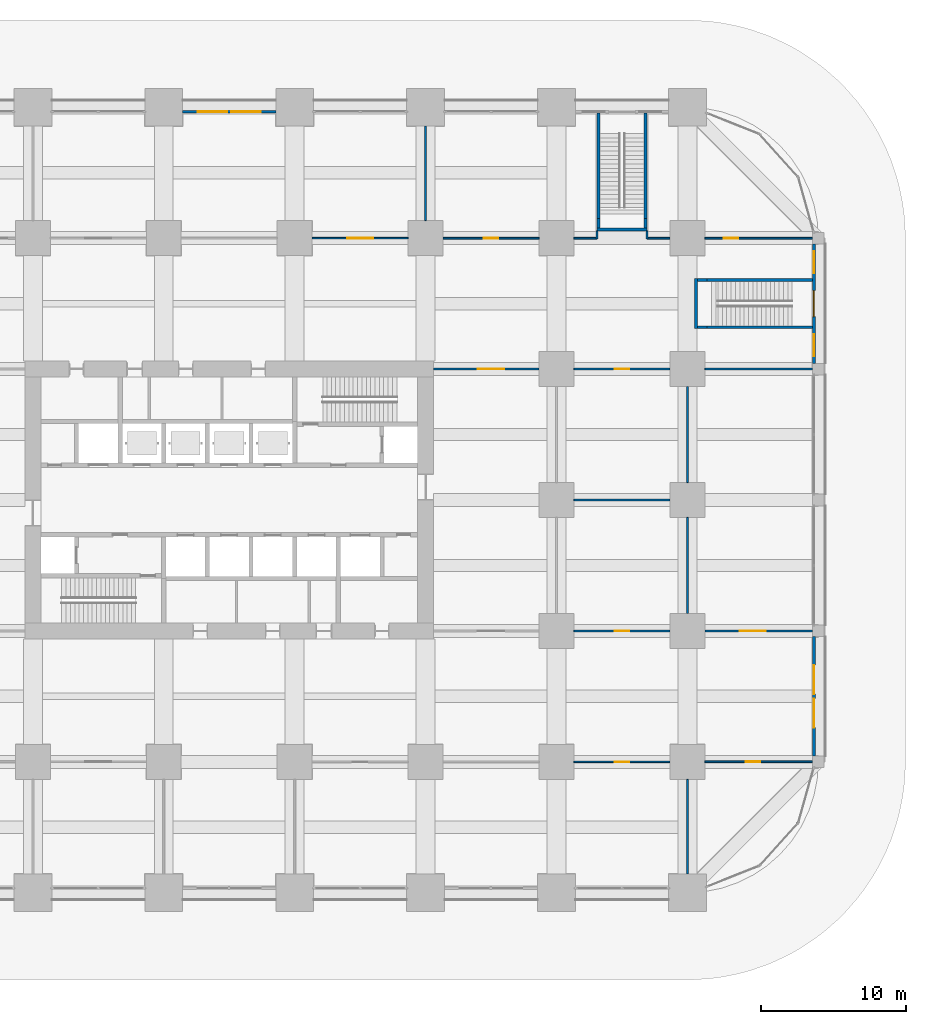
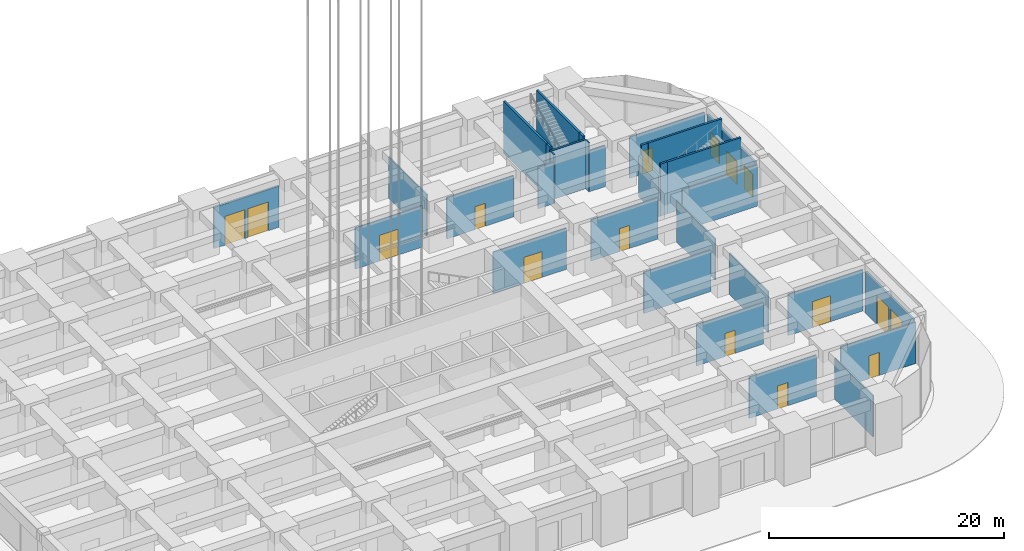
# One storey, part 44 of 56: 32 walls, 14 doors, 2 windows, 16 openings.
"""IFC4 building model written with IfcOpenShell, lengths in metres."""

from ifc_helpers import new_model, si_unit, direction, frame, frame_2d, origin, place, context, subcontext, project, spatial, rectangle, extrude, material, layer, layer_set, type_object, element, fill, save


model = new_model("IFC4")

# Units and contexts
model_context = context("Model", 3, precision=1e-05, world=origin(), true_north=direction((0.0, 1.0)))
body_context = subcontext(model_context, "Body", "Model", "MODEL_VIEW")
ifc_project = project(units=[si_unit("LENGTHUNIT", "METRE"), si_unit("AREAUNIT", "SQUARE_METRE"), si_unit("VOLUMEUNIT", "CUBIC_METRE"), si_unit("PLANEANGLEUNIT", "RADIAN"), si_unit("MASSUNIT", "GRAM", prefix="KILO")], contexts=[model_context])

# Site, building, storey
site_placement = place(None, origin())
site = spatial("IfcSite", under=ifc_project, at=site_placement, CompositionType="ELEMENT")
building_placement = place(site_placement, origin())
building = spatial("IfcBuilding", under=site, at=building_placement, Name="Zorevar Civic Tower", CompositionType="ELEMENT")
storey_placement = place(building_placement, origin())
storey = spatial("IfcBuildingStorey", under=building, at=storey_placement, Name="L00", CompositionType="ELEMENT", Elevation=0.0)

# Walls
ifc_material_1 = material(Name="Concrete blockwork", Category="masonry")
ifc_layer_1 = layer(ifc_material_1, 0.199951171875)
ifc_layer_set_1 = layer_set([ifc_layer_1], Name="Blockwork wall 200")
wall_type_1 = type_object("IfcWallType", Name="Blockwork wall 200", PredefinedType="SOLIDWALL", material=ifc_layer_set_1)
for number, where, z_axis, x_axis, name in (
    (1, (64.35009765625, 42.125, 0.0), (0.0, 0.0, 1.0), (-1.0, 0.0, 0.0), "Escape stair PS2 enclosure L00"),
    (2, (64.35009765625, 38.875, 0.0), (0.0, 0.0, 1.0), (-1.0, 0.0, 0.0), "Escape stair PS2 enclosure L00"),
):
    element("IfcWall", number, at=place(storey_placement, frame(where, z_axis=z_axis, x_axis=x_axis)), inside=storey, type_object=wall_type_1, Name=name, PredefinedType="SOLIDWALL", context=body_context, shape_type="SweptSolid", body=[
        extrude(rectangle(XDim=0.650146484375, YDim=0.199951171875, at=frame_2d((0.3251953125, 0.0))), origin(), (0.0, 0.0, 1.0), 5.39990234375),
    ])
wall_1_placement = place(storey_placement, frame((63.60009765625, 42.22509765625, 0.0), z_axis=(0.0, 0.0, 1.0), x_axis=(0.0, -1.0, 0.0)))
element("IfcWall", 3, at=wall_1_placement, inside=storey, type_object=wall_type_1, Name="Escape stair PS2 enclosure L00", PredefinedType="SOLIDWALL", context=body_context, shape_type="SweptSolid", body=[
    extrude(rectangle(XDim=3.4501953125, YDim=0.199951171875, at=frame_2d((1.72509765625, 0.0))), origin(), (0.0, 0.0, 1.0), 4.300048828125),
])
for number, where, z_axis, x_axis, name in (
    (4, (56.875, 46.35009765625, 0.0), (0.0, 0.0, 1.0), (0.0, -1.0, 0.0), "Escape stair PS3 enclosure L00"),
    (5, (60.125, 46.35009765625, 0.0), (0.0, 0.0, 1.0), (0.0, -1.0, 0.0), "Escape stair PS3 enclosure L00"),
):
    element("IfcWall", number, at=place(storey_placement, frame(where, z_axis=z_axis, x_axis=x_axis)), inside=storey, type_object=wall_type_1, Name=name, PredefinedType="SOLIDWALL", context=body_context, shape_type="SweptSolid", body=[
        extrude(rectangle(XDim=0.650146484375, YDim=0.199951171875, at=frame_2d((0.3251953125, 0.0))), origin(), (0.0, 0.0, 1.0), 5.39990234375),
    ])
wall_2_placement = place(storey_placement, frame((56.77490234375, 45.60009765625, 0.0), z_axis=(0.0, 0.0, 1.0), x_axis=(1.0, 0.0, 0.0)))
element("IfcWall", 6, at=wall_2_placement, inside=storey, type_object=wall_type_1, Name="Escape stair PS3 enclosure L00", PredefinedType="SOLIDWALL", context=body_context, shape_type="SweptSolid", body=[
    extrude(rectangle(XDim=3.4501953125, YDim=0.199951171875, at=frame_2d((1.72509765625, 0.0))), origin(), (0.0, 0.0, 1.0), 5.10009765625),
])

# Wall, opening, door
ifc_material_2 = material(Name="Laminated glass in black aluminium frame", Category="aluminium")
ifc_layer_2 = layer(ifc_material_2, 0.10009765625)
ifc_layer_set_2 = layer_set([ifc_layer_2], Name="Glazed partition 100")
wall_type_2 = type_object("IfcWallType", Name="Glazed partition 100", PredefinedType="PARTITIONING", material=ifc_layer_set_2)
wall_3_placement = place(storey_placement, frame((55.199951171875, 9.0, 0.0), z_axis=(0.0, 0.0, 1.0), x_axis=(1.0, 0.0, 0.0)))
wall_3 = element("IfcWall", 7, at=wall_3_placement, inside=storey, type_object=wall_type_2, Name="Glazed partition 100 L00", PredefinedType="PARTITIONING", context=body_context, shape_type="SweptSolid", body=[
    extrude(rectangle(XDim=6.60009765625, YDim=0.10009765625, at=frame_2d((3.300048828125, 0.0))), origin(), (0.0, 0.0, 1.0), 4.300048828125),
])
opening_1_placement = place(wall_3_placement, frame((2.800048828125, 0.0, 0.0)))
opening_1 = element("IfcOpeningElement", 8, at=opening_1_placement, cuts=wall_3, Name="Opening L00.19", PredefinedType="OPENING", context=body_context, shape_type="SweptSolid", body=[
    extrude(rectangle(XDim=1.0, YDim=2.39990234375, at=frame_2d((0.5, 1.199951171875))), frame((0.0, 0.06005859375, 0.0), z_axis=(0.0, -1.0, 0.0), x_axis=(1.0, 0.0, 0.0)), (0.0, 0.0, 1.0), 0.1201171875),
])
ifc_material_3 = material(Name="Timber door set", Category="wood")
door_type_1 = type_object("IfcDoorType", Name="Glazed door GD1 1000x2400", OperationType="SINGLE_SWING_LEFT", PredefinedType="DOOR", material=ifc_material_3)
door_1_placement = place(opening_1_placement, origin())
door_1 = element("IfcDoor", 9, at=door_1_placement, inside=storey, type_object=door_type_1, Name="Door L00 D10", OperationType="SINGLE_SWING_RIGHT", OverallHeight=2.39990234375, OverallWidth=1.0, PredefinedType="DOOR", context=body_context, shape_type="SweptSolid", body=[
    extrude(rectangle(XDim=1.0, YDim=2.39990234375, at=frame_2d((0.5, 1.199951171875))), frame((0.0, 0.02001953125, 0.0), z_axis=(0.0, -1.0, 0.0), x_axis=(1.0, 0.0, 0.0)), (0.0, 0.0, 1.0), 0.0400390625),
])
fill(opening_1, door_1)

wall_4_placement = place(storey_placement, frame((37.199951171875, 45.0, 0.0), z_axis=(0.0, 0.0, 1.0), x_axis=(1.0, 0.0, 0.0)))
wall_4 = element("IfcWall", 10, at=wall_4_placement, inside=storey, type_object=wall_type_2, Name="Glazed partition 100 L00", PredefinedType="PARTITIONING", context=body_context, shape_type="SweptSolid", body=[
    extrude(rectangle(XDim=6.60009765625, YDim=0.10009765625, at=frame_2d((3.300048828125, 0.0))), origin(), (0.0, 0.0, 1.0), 4.300048828125),
])
opening_2_placement = place(wall_4_placement, frame((2.39990234375, 0.0, 0.0)))
opening_2 = element("IfcOpeningElement", 11, at=opening_2_placement, cuts=wall_4, Name="Opening L00.38", PredefinedType="OPENING", context=body_context, shape_type="SweptSolid", body=[
    extrude(rectangle(XDim=1.800048828125, YDim=2.699951171875, at=frame_2d((0.89990234375, 1.35009765625))), frame((0.0, 0.06005859375, 0.0), z_axis=(0.0, -1.0, 0.0), x_axis=(1.0, 0.0, 0.0)), (0.0, 0.0, 1.0), 0.1201171875),
])
ifc_material_4 = material(Name="Timber door set", Category="wood")
door_type_2 = type_object("IfcDoorType", Name="Door D3 1800x2700", OperationType="DOUBLE_DOOR_DOUBLE_SWING", PredefinedType="DOOR", material=ifc_material_4)
door_2_placement = place(opening_2_placement, origin())
door_2 = element("IfcDoor", 12, at=door_2_placement, inside=storey, type_object=door_type_2, Name="Door L00 D19", OperationType="DOUBLE_DOOR_DOUBLE_SWING", OverallHeight=2.699951171875, OverallWidth=1.800048828125, PredefinedType="DOOR", context=body_context, shape_type="SweptSolid", body=[
    extrude(rectangle(XDim=1.800048828125, YDim=2.699951171875, at=frame_2d((0.89990234375, 1.35009765625))), frame((0.0, 0.02490234375, 0.0), z_axis=(0.0, -1.0, 0.0), x_axis=(1.0, 0.0, 0.0)), (0.0, 0.0, 1.0), 0.050048828125),
])
fill(opening_2, door_2)

# Wall
ifc_material_5 = material(Name="Gypsum board on steel studs", Category="steel")
ifc_layer_3 = layer(ifc_material_5, 0.1201171875)
ifc_layer_set_3 = layer_set([ifc_layer_3], Name="Partition 120")
wall_type_3 = type_object("IfcWallType", Name="Partition 120", PredefinedType="PARTITIONING", material=ifc_layer_set_3)
wall_5_placement = place(storey_placement, frame((63.0, 1.300048828125, 0.0), z_axis=(0.0, 0.0, 1.0), x_axis=(0.0, 1.0, 0.0)))
element("IfcWall", 13, at=wall_5_placement, inside=storey, type_object=wall_type_3, Name="Partition 120 L00", PredefinedType="PARTITIONING", context=body_context, shape_type="SweptSolid", body=[
    extrude(rectangle(XDim=6.5, YDim=0.1201171875, at=frame_2d((3.25, 0.0))), origin(), (0.0, 0.0, 1.0), 4.300048828125),
])

# Wall, opening, door
wall_6_placement = place(storey_placement, frame((64.199951171875, 9.0, 0.0), z_axis=(0.0, 0.0, 1.0), x_axis=(1.0, 0.0, 0.0)))
wall_6 = element("IfcWall", 14, at=wall_6_placement, inside=storey, type_object=wall_type_3, Name="Partition 120 L00", PredefinedType="PARTITIONING", context=body_context, shape_type="SweptSolid", body=[
    extrude(rectangle(XDim=7.400146484375, YDim=0.1201171875, at=frame_2d((3.7001953125, 0.0))), origin(), (0.0, 0.0, 1.0), 4.300048828125),
])
opening_3_placement = place(wall_6_placement, frame((2.800048828125, 0.0, 0.0)))
opening_3 = element("IfcOpeningElement", 15, at=opening_3_placement, cuts=wall_6, Name="Opening L00.21", PredefinedType="OPENING", context=body_context, shape_type="SweptSolid", body=[
    extrude(rectangle(XDim=1.0, YDim=2.39990234375, at=frame_2d((0.5, 1.199951171875))), frame((0.0, 0.070068359375, 0.0), z_axis=(0.0, -1.0, 0.0), x_axis=(1.0, 0.0, 0.0)), (0.0, 0.0, 1.0), 0.14013671875),
])
ifc_material_6 = material(Name="Timber door set", Category="wood")
door_type_3 = type_object("IfcDoorType", Name="Door D1 1000x2400", OperationType="SINGLE_SWING_LEFT", PredefinedType="DOOR", material=ifc_material_6)
door_3_placement = place(opening_3_placement, origin())
door_3 = element("IfcDoor", 16, at=door_3_placement, inside=storey, type_object=door_type_3, Name="Door L00 D23", OperationType="SINGLE_SWING_LEFT", OverallHeight=2.39990234375, OverallWidth=1.0, PredefinedType="DOOR", context=body_context, shape_type="SweptSolid", body=[
    extrude(rectangle(XDim=1.0, YDim=2.39990234375, at=frame_2d((0.5, 1.199951171875))), frame((0.0, 0.02490234375, 0.0), z_axis=(0.0, -1.0, 0.0), x_axis=(1.0, 0.0, 0.0)), (0.0, 0.0, 1.0), 0.050048828125),
])
fill(opening_3, door_3)

wall_7_placement = place(storey_placement, frame((55.199951171875, 18.0, 0.0), z_axis=(0.0, 0.0, 1.0), x_axis=(1.0, 0.0, 0.0)))
wall_7 = element("IfcWall", 17, at=wall_7_placement, inside=storey, type_object=wall_type_3, Name="Partition 120 L00", PredefinedType="PARTITIONING", context=body_context, shape_type="SweptSolid", body=[
    extrude(rectangle(XDim=6.60009765625, YDim=0.1201171875, at=frame_2d((3.300048828125, 0.0))), origin(), (0.0, 0.0, 1.0), 4.300048828125),
])
opening_4_placement = place(wall_7_placement, frame((2.800048828125, 0.0, 0.0)))
opening_4 = element("IfcOpeningElement", 18, at=opening_4_placement, cuts=wall_7, Name="Opening L00.30", PredefinedType="OPENING", context=body_context, shape_type="SweptSolid", body=[
    extrude(rectangle(XDim=1.0, YDim=2.39990234375, at=frame_2d((0.5, 1.199951171875))), frame((0.0, 0.070068359375, 0.0), z_axis=(0.0, -1.0, 0.0), x_axis=(1.0, 0.0, 0.0)), (0.0, 0.0, 1.0), 0.14013671875),
])
door_4_placement = place(opening_4_placement, origin())
door_4 = element("IfcDoor", 19, at=door_4_placement, inside=storey, type_object=door_type_3, Name="Door L00 D13", OperationType="SINGLE_SWING_RIGHT", OverallHeight=2.39990234375, OverallWidth=1.0, PredefinedType="DOOR", context=body_context, shape_type="SweptSolid", body=[
    extrude(rectangle(XDim=1.0, YDim=2.39990234375, at=frame_2d((0.5, 1.199951171875))), frame((0.0, 0.02490234375, 0.0), z_axis=(0.0, -1.0, 0.0), x_axis=(1.0, 0.0, 0.0)), (0.0, 0.0, 1.0), 0.050048828125),
])
fill(opening_4, door_4)

wall_8_placement = place(storey_placement, frame((64.199951171875, 18.0, 0.0), z_axis=(0.0, 0.0, 1.0), x_axis=(1.0, 0.0, 0.0)))
wall_8 = element("IfcWall", 20, at=wall_8_placement, inside=storey, type_object=wall_type_3, Name="Partition 120 L00", PredefinedType="PARTITIONING", context=body_context, shape_type="SweptSolid", body=[
    extrude(rectangle(XDim=7.400146484375, YDim=0.1201171875, at=frame_2d((3.7001953125, 0.0))), origin(), (0.0, 0.0, 1.0), 4.300048828125),
])
opening_5_placement = place(wall_8_placement, frame((2.39990234375, 0.0, 0.0)))
opening_5 = element("IfcOpeningElement", 21, at=opening_5_placement, cuts=wall_8, Name="Opening L00.31", PredefinedType="OPENING", context=body_context, shape_type="SweptSolid", body=[
    extrude(rectangle(XDim=1.800048828125, YDim=2.699951171875, at=frame_2d((0.89990234375, 1.35009765625))), frame((0.0, 0.070068359375, 0.0), z_axis=(0.0, -1.0, 0.0), x_axis=(1.0, 0.0, 0.0)), (0.0, 0.0, 1.0), 0.14013671875),
])
door_5_placement = place(opening_5_placement, origin())
door_5 = element("IfcDoor", 22, at=door_5_placement, inside=storey, type_object=door_type_2, Name="Door L00 D6", OperationType="DOUBLE_DOOR_DOUBLE_SWING", OverallHeight=2.699951171875, OverallWidth=1.800048828125, PredefinedType="DOOR", context=body_context, shape_type="SweptSolid", body=[
    extrude(rectangle(XDim=1.800048828125, YDim=2.699951171875, at=frame_2d((0.89990234375, 1.35009765625))), frame((0.0, 0.02490234375, 0.0), z_axis=(0.0, -1.0, 0.0), x_axis=(1.0, 0.0, 0.0)), (0.0, 0.0, 1.0), 0.050048828125),
])
fill(opening_5, door_5)

wall_9_placement = place(storey_placement, frame((45.550048828125, 36.0, 0.0), z_axis=(0.0, 0.0, 1.0), x_axis=(1.0, 0.0, 0.0)))
wall_9 = element("IfcWall", 23, at=wall_9_placement, inside=storey, type_object=wall_type_3, Name="Partition 120 L00", PredefinedType="PARTITIONING", context=body_context, shape_type="SweptSolid", body=[
    extrude(rectangle(XDim=7.25, YDim=0.1201171875, at=frame_2d((3.625, 0.0))), origin(), (0.0, 0.0, 1.0), 4.300048828125),
])
opening_6_placement = place(wall_9_placement, frame((3.050048828125, 0.0, 0.0)))
opening_6 = element("IfcOpeningElement", 24, at=opening_6_placement, cuts=wall_9, Name="Opening L00.32", PredefinedType="OPENING", context=body_context, shape_type="SweptSolid", body=[
    extrude(rectangle(XDim=1.800048828125, YDim=2.699951171875, at=frame_2d((0.89990234375, 1.35009765625))), frame((0.0, 0.070068359375, 0.0), z_axis=(0.0, -1.0, 0.0), x_axis=(1.0, 0.0, 0.0)), (0.0, 0.0, 1.0), 0.14013671875),
])
door_6_placement = place(opening_6_placement, origin())
door_6 = element("IfcDoor", 25, at=door_6_placement, inside=storey, type_object=door_type_2, Name="Door L00 D7", OperationType="DOUBLE_DOOR_DOUBLE_SWING", OverallHeight=2.699951171875, OverallWidth=1.800048828125, PredefinedType="DOOR", context=body_context, shape_type="SweptSolid", body=[
    extrude(rectangle(XDim=1.800048828125, YDim=2.699951171875, at=frame_2d((0.89990234375, 1.35009765625))), frame((0.0, 0.02490234375, 0.0), z_axis=(0.0, -1.0, 0.0), x_axis=(1.0, 0.0, 0.0)), (0.0, 0.0, 1.0), 0.050048828125),
])
fill(opening_6, door_6)

wall_10_placement = place(storey_placement, frame((55.199951171875, 36.0, 0.0), z_axis=(0.0, 0.0, 1.0), x_axis=(1.0, 0.0, 0.0)))
wall_10 = element("IfcWall", 26, at=wall_10_placement, inside=storey, type_object=wall_type_3, Name="Partition 120 L00", PredefinedType="PARTITIONING", context=body_context, shape_type="SweptSolid", body=[
    extrude(rectangle(XDim=6.60009765625, YDim=0.1201171875, at=frame_2d((3.300048828125, 0.0))), origin(), (0.0, 0.0, 1.0), 4.300048828125),
])
opening_7_placement = place(wall_10_placement, frame((2.800048828125, 0.0, 0.0)))
opening_7 = element("IfcOpeningElement", 27, at=opening_7_placement, cuts=wall_10, Name="Opening L00.33", PredefinedType="OPENING", context=body_context, shape_type="SweptSolid", body=[
    extrude(rectangle(XDim=1.0, YDim=2.39990234375, at=frame_2d((0.5, 1.199951171875))), frame((0.0, 0.070068359375, 0.0), z_axis=(0.0, -1.0, 0.0), x_axis=(1.0, 0.0, 0.0)), (0.0, 0.0, 1.0), 0.14013671875),
])
door_7_placement = place(opening_7_placement, origin())
door_7 = element("IfcDoor", 28, at=door_7_placement, inside=storey, type_object=door_type_3, Name="Door L00 D14", OperationType="SINGLE_SWING_LEFT", OverallHeight=2.39990234375, OverallWidth=1.0, PredefinedType="DOOR", context=body_context, shape_type="SweptSolid", body=[
    extrude(rectangle(XDim=1.0, YDim=2.39990234375, at=frame_2d((0.5, 1.199951171875))), frame((0.0, 0.02490234375, 0.0), z_axis=(0.0, -1.0, 0.0), x_axis=(1.0, 0.0, 0.0)), (0.0, 0.0, 1.0), 0.050048828125),
])
fill(opening_7, door_7)

# Walls
wall_11_placement = place(storey_placement, frame((64.199951171875, 36.0, 0.0), z_axis=(0.0, 0.0, 1.0), x_axis=(1.0, 0.0, 0.0)))
element("IfcWall", 29, at=wall_11_placement, inside=storey, type_object=wall_type_3, Name="Partition 120 L00", PredefinedType="PARTITIONING", context=body_context, shape_type="SweptSolid", body=[
    extrude(rectangle(XDim=7.400146484375, YDim=0.1201171875, at=frame_2d((3.7001953125, 0.0))), origin(), (0.0, 0.0, 1.0), 4.300048828125),
])
for number, where, z_axis, x_axis, name in (
    (30, (63.0, 19.199951171875, 0.0), (0.0, 0.0, 1.0), (0.0, 1.0, 0.0), "Partition 120 L00"),
    (31, (63.0, 28.199951171875, 0.0), (0.0, 0.0, 1.0), (0.0, 1.0, 0.0), "Partition 120 L00"),
    (32, (55.199951171875, 27.0, 0.0), (0.0, 0.0, 1.0), (1.0, 0.0, 0.0), "Partition 120 L00"),
):
    element("IfcWall", number, at=place(storey_placement, frame(where, z_axis=z_axis, x_axis=x_axis)), inside=storey, type_object=wall_type_3, Name=name, PredefinedType="PARTITIONING", context=body_context, shape_type="SweptSolid", body=[
        extrude(rectangle(XDim=6.60009765625, YDim=0.1201171875, at=frame_2d((3.300048828125, 0.0))), origin(), (0.0, 0.0, 1.0), 4.300048828125),
    ])

# Wall, opening, door
wall_12_placement = place(storey_placement, frame((46.199951171875, 45.0, 0.0), z_axis=(0.0, 0.0, 1.0), x_axis=(1.0, 0.0, 0.0)))
wall_12 = element("IfcWall", 33, at=wall_12_placement, inside=storey, type_object=wall_type_3, Name="Partition 120 L00", PredefinedType="PARTITIONING", context=body_context, shape_type="SweptSolid", body=[
    extrude(rectangle(XDim=6.60009765625, YDim=0.1201171875, at=frame_2d((3.300048828125, 0.0))), origin(), (0.0, 0.0, 1.0), 4.300048828125),
])
opening_8_placement = place(wall_12_placement, frame((2.800048828125, 0.0, 0.0)))
opening_8 = element("IfcOpeningElement", 34, at=opening_8_placement, cuts=wall_12, Name="Opening L00.39", PredefinedType="OPENING", context=body_context, shape_type="SweptSolid", body=[
    extrude(rectangle(XDim=1.0, YDim=2.39990234375, at=frame_2d((0.5, 1.199951171875))), frame((0.0, 0.070068359375, 0.0), z_axis=(0.0, -1.0, 0.0), x_axis=(1.0, 0.0, 0.0)), (0.0, 0.0, 1.0), 0.14013671875),
])
door_8_placement = place(opening_8_placement, origin())
door_8 = element("IfcDoor", 35, at=door_8_placement, inside=storey, type_object=door_type_3, Name="Door L00 D20", OperationType="SINGLE_SWING_RIGHT", OverallHeight=2.39990234375, OverallWidth=1.0, PredefinedType="DOOR", context=body_context, shape_type="SweptSolid", body=[
    extrude(rectangle(XDim=1.0, YDim=2.39990234375, at=frame_2d((0.5, 1.199951171875))), frame((0.0, 0.02490234375, 0.0), z_axis=(0.0, -1.0, 0.0), x_axis=(1.0, 0.0, 0.0)), (0.0, 0.0, 1.0), 0.050048828125),
])
fill(opening_8, door_8)

# Walls
for number, where, z_axis, x_axis, name in (
    (36, (55.199951171875, 45.0, 0.0), (0.0, 0.0, 1.0), (1.0, 0.0, 0.0), "Partition 120 L00"),
    (37, (60.22509765625, 45.0, 0.0), (0.0, 0.0, 1.0), (1.0, 0.0, 0.0), "Partition 120 L00"),
):
    element("IfcWall", number, at=place(storey_placement, frame(where, z_axis=z_axis, x_axis=x_axis)), inside=storey, type_object=wall_type_3, Name=name, PredefinedType="PARTITIONING", context=body_context, shape_type="SweptSolid", body=[
        extrude(rectangle(XDim=1.574951171875, YDim=0.1201171875, at=frame_2d((0.78759765625, 0.0))), origin(), (0.0, 0.0, 1.0), 4.300048828125),
    ])

# Wall, opening, door
wall_13_placement = place(storey_placement, frame((64.199951171875, 45.0, 0.0), z_axis=(0.0, 0.0, 1.0), x_axis=(1.0, 0.0, 0.0)))
wall_13 = element("IfcWall", 38, at=wall_13_placement, inside=storey, type_object=wall_type_3, Name="Partition 120 L00", PredefinedType="PARTITIONING", context=body_context, shape_type="SweptSolid", body=[
    extrude(rectangle(XDim=7.400146484375, YDim=0.1201171875, at=frame_2d((3.7001953125, 0.0))), origin(), (0.0, 0.0, 1.0), 4.300048828125),
])
opening_9_placement = place(wall_13_placement, frame((1.300048828125, 0.0, 0.0)))
opening_9 = element("IfcOpeningElement", 39, at=opening_9_placement, cuts=wall_13, Name="Opening L00.40", PredefinedType="OPENING", context=body_context, shape_type="SweptSolid", body=[
    extrude(rectangle(XDim=1.0, YDim=2.39990234375, at=frame_2d((0.5, 1.199951171875))), frame((0.0, 0.070068359375, 0.0), z_axis=(0.0, -1.0, 0.0), x_axis=(1.0, 0.0, 0.0)), (0.0, 0.0, 1.0), 0.14013671875),
])
door_9_placement = place(opening_9_placement, origin())
door_9 = element("IfcDoor", 40, at=door_9_placement, inside=storey, type_object=door_type_3, Name="Door L00 D21", OperationType="SINGLE_SWING_LEFT", OverallHeight=2.39990234375, OverallWidth=1.0, PredefinedType="DOOR", context=body_context, shape_type="SweptSolid", body=[
    extrude(rectangle(XDim=1.0, YDim=2.39990234375, at=frame_2d((0.5, 1.199951171875))), frame((0.0, 0.02490234375, 0.0), z_axis=(0.0, -1.0, 0.0), x_axis=(1.0, 0.0, 0.0)), (0.0, 0.0, 1.0), 0.050048828125),
])
fill(opening_9, door_9)

# Walls
for number, where, z_axis, x_axis, name in (
    (41, (56.77490234375, 44.949951171875, 0.0), (0.0, 0.0, 1.0), (0.0, 1.0, 0.0), "Partition 120 L00"),
    (42, (60.22509765625, 44.949951171875, 0.0), (0.0, 0.0, 1.0), (0.0, 1.0, 0.0), "Partition 120 L00"),
):
    element("IfcWall", number, at=place(storey_placement, frame(where, z_axis=z_axis, x_axis=x_axis)), inside=storey, type_object=wall_type_3, Name=name, PredefinedType="PARTITIONING", context=body_context, shape_type="SweptSolid", body=[
        extrude(rectangle(XDim=0.550048828125, YDim=0.1201171875, at=frame_2d((0.27490234375, 0.0))), origin(), (0.0, 0.0, 1.0), 5.10009765625),
    ])
wall_14_placement = place(storey_placement, frame((45.0, 46.199951171875, 0.0), z_axis=(0.0, 0.0, 1.0), x_axis=(0.0, 1.0, 0.0)))
element("IfcWall", 43, at=wall_14_placement, inside=storey, type_object=wall_type_3, Name="Partition 120 L00", PredefinedType="PARTITIONING", context=body_context, shape_type="SweptSolid", body=[
    extrude(rectangle(XDim=6.5, YDim=0.1201171875, at=frame_2d((3.25, 0.0))), origin(), (0.0, 0.0, 1.0), 4.300048828125),
])

# Wall, openings, doors
ifc_material_7 = material(Name="Black metal-faced insulated panel", Category="aluminium")
ifc_layer_4 = layer(ifc_material_7, 0.179931640625)
ifc_layer_set_4 = layer_set([ifc_layer_4], Name="Screen wall 180")
wall_type_4 = type_object("IfcWallType", Name="Screen wall 180", PredefinedType="SOLIDWALL", material=ifc_layer_set_4)
wall_15_placement = place(storey_placement, frame((28.300048828125, 53.699951171875, 0.0), z_axis=(0.0, 0.0, 1.0), x_axis=(1.0, 0.0, 0.0)))
wall_15 = element("IfcWall", 44, at=wall_15_placement, inside=storey, type_object=wall_type_4, Name="Screen wall L00 N27", PredefinedType="SOLIDWALL", context=body_context, shape_type="SweptSolid", body=[
    extrude(rectangle(XDim=6.39990234375, YDim=0.179931640625, at=frame_2d((3.199951171875, 0.0))), origin(), (0.0, 0.0, 1.0), 4.300048828125),
])
opening_10_placement = place(wall_15_placement, frame((1.050048828125, 0.0, 0.0)))
opening_10 = element("IfcOpeningElement", 45, at=opening_10_placement, cuts=wall_15, Name="Opening ED1", PredefinedType="OPENING", context=body_context, shape_type="SweptSolid", body=[
    extrude(rectangle(XDim=2.0, YDim=3.0, at=frame_2d((1.0, 1.5))), frame((0.0, 0.099853515625, 0.0), z_axis=(0.0, -1.0, 0.0), x_axis=(1.0, 0.0, 0.0)), (0.0, 0.0, 1.0), 0.199951171875),
])
opening_11_placement = place(wall_15_placement, frame((3.35009765625, 0.0, 0.0)))
opening_11 = element("IfcOpeningElement", 46, at=opening_11_placement, cuts=wall_15, Name="Opening ED1", PredefinedType="OPENING", context=body_context, shape_type="SweptSolid", body=[
    extrude(rectangle(XDim=2.0, YDim=3.0, at=frame_2d((1.0, 1.5))), frame((0.0, 0.099853515625, 0.0), z_axis=(0.0, -1.0, 0.0), x_axis=(1.0, 0.0, 0.0)), (0.0, 0.0, 1.0), 0.199951171875),
])
ifc_material_8 = material(Name="Black aluminium and dark glass", Category="aluminium")
door_type_4 = type_object("IfcDoorType", Name="Entrance door ED1 2000x3000", OperationType="DOUBLE_DOOR_DOUBLE_SWING", PredefinedType="DOOR", material=ifc_material_8)
door_10_placement = place(opening_10_placement, origin())
door_10 = element("IfcDoor", 47, at=door_10_placement, inside=storey, type_object=door_type_4, Name="Entrance door L00 N27 1", OperationType="DOUBLE_DOOR_DOUBLE_SWING", OverallHeight=3.0, OverallWidth=2.0, PredefinedType="DOOR", context=body_context, shape_type="SweptSolid", body=[
    extrude(rectangle(XDim=2.0, YDim=3.0, at=frame_2d((1.0, 1.5))), frame((0.0, 0.02490234375, 0.0), z_axis=(0.0, -1.0, 0.0), x_axis=(1.0, 0.0, 0.0)), (0.0, 0.0, 1.0), 0.050048828125),
])
fill(opening_10, door_10)
door_11_placement = place(opening_11_placement, origin())
door_11 = element("IfcDoor", 48, at=door_11_placement, inside=storey, type_object=door_type_4, Name="Entrance door L00 N27 2", OperationType="DOUBLE_DOOR_DOUBLE_SWING", OverallHeight=3.0, OverallWidth=2.0, PredefinedType="DOOR", context=body_context, shape_type="SweptSolid", body=[
    extrude(rectangle(XDim=2.0, YDim=3.0, at=frame_2d((1.0, 1.5))), frame((0.0, 0.02490234375, 0.0), z_axis=(0.0, -1.0, 0.0), x_axis=(1.0, 0.0, 0.0)), (0.0, 0.0, 1.0), 0.050048828125),
])
fill(opening_11, door_11)

wall_16_placement = place(storey_placement, frame((71.699951171875, 9.39990234375, 0.0), z_axis=(0.0, 0.0, 1.0), x_axis=(0.0, 1.0, 0.0)))
wall_16 = element("IfcWall", 49, at=wall_16_placement, inside=storey, type_object=wall_type_4, Name="Screen wall L00 E9", PredefinedType="SOLIDWALL", context=body_context, shape_type="SweptSolid", body=[
    extrude(rectangle(XDim=8.2001953125, YDim=0.179931640625, at=frame_2d((4.10009765625, 0.0))), origin(), (0.0, 0.0, 1.0), 4.300048828125),
])
opening_12_placement = place(wall_16_placement, frame((1.949951171875, 0.0, 0.0)))
opening_12 = element("IfcOpeningElement", 50, at=opening_12_placement, cuts=wall_16, Name="Opening ED1", PredefinedType="OPENING", context=body_context, shape_type="SweptSolid", body=[
    extrude(rectangle(XDim=2.0, YDim=3.0, at=frame_2d((1.0, 1.5))), frame((0.0, 0.099853515625, 0.0), z_axis=(0.0, -1.0, 0.0), x_axis=(1.0, 0.0, 0.0)), (0.0, 0.0, 1.0), 0.199951171875),
])
opening_13_placement = place(wall_16_placement, frame((4.25, 0.0, 0.0)))
opening_13 = element("IfcOpeningElement", 51, at=opening_13_placement, cuts=wall_16, Name="Opening ED1", PredefinedType="OPENING", context=body_context, shape_type="SweptSolid", body=[
    extrude(rectangle(XDim=2.0, YDim=3.0, at=frame_2d((1.0, 1.5))), frame((0.0, 0.099853515625, 0.0), z_axis=(0.0, -1.0, 0.0), x_axis=(1.0, 0.0, 0.0)), (0.0, 0.0, 1.0), 0.199951171875),
])
door_12_placement = place(opening_12_placement, origin())
door_12 = element("IfcDoor", 52, at=door_12_placement, inside=storey, type_object=door_type_4, Name="Entrance door L00 E9 1", OperationType="DOUBLE_DOOR_DOUBLE_SWING", OverallHeight=3.0, OverallWidth=2.0, PredefinedType="DOOR", context=body_context, shape_type="SweptSolid", body=[
    extrude(rectangle(XDim=2.0, YDim=3.0, at=frame_2d((1.0, 1.5))), frame((0.0, 0.02490234375, 0.0), z_axis=(0.0, -1.0, 0.0), x_axis=(1.0, 0.0, 0.0)), (0.0, 0.0, 1.0), 0.050048828125),
])
fill(opening_12, door_12)
door_13_placement = place(opening_13_placement, origin())
door_13 = element("IfcDoor", 53, at=door_13_placement, inside=storey, type_object=door_type_4, Name="Entrance door L00 E9 2", OperationType="DOUBLE_DOOR_DOUBLE_SWING", OverallHeight=3.0, OverallWidth=2.0, PredefinedType="DOOR", context=body_context, shape_type="SweptSolid", body=[
    extrude(rectangle(XDim=2.0, YDim=3.0, at=frame_2d((1.0, 1.5))), frame((0.0, 0.02490234375, 0.0), z_axis=(0.0, -1.0, 0.0), x_axis=(1.0, 0.0, 0.0)), (0.0, 0.0, 1.0), 0.050048828125),
])
fill(opening_13, door_13)

# Wall, openings, door, windows
wall_17_placement = place(storey_placement, frame((71.699951171875, 36.39990234375, 0.0), z_axis=(0.0, 0.0, 1.0), x_axis=(0.0, 1.0, 0.0)))
wall_17 = element("IfcWall", 54, at=wall_17_placement, inside=storey, type_object=wall_type_4, Name="Screen wall L00 E36", PredefinedType="SOLIDWALL", context=body_context, shape_type="SweptSolid", body=[
    extrude(rectangle(XDim=8.2001953125, YDim=0.179931640625, at=frame_2d((4.10009765625, 0.0))), origin(), (0.0, 0.0, 1.0), 4.300048828125),
])
opening_14_placement = place(wall_17_placement, frame((3.199951171875, 0.0, 0.0)))
opening_14 = element("IfcOpeningElement", 55, at=opening_14_placement, cuts=wall_17, Name="Opening EX1", PredefinedType="OPENING", context=body_context, shape_type="SweptSolid", body=[
    extrude(rectangle(XDim=1.800048828125, YDim=2.39990234375, at=frame_2d((0.89990234375, 1.199951171875))), frame((0.0, 0.099853515625, 0.0), z_axis=(0.0, -1.0, 0.0), x_axis=(1.0, 0.0, 0.0)), (0.0, 0.0, 1.0), 0.199951171875),
])
opening_15_placement = place(wall_17_placement, frame((0.5, 0.0, 0.300048828125)))
opening_15 = element("IfcOpeningElement", 56, at=opening_15_placement, cuts=wall_17, Name="Opening WS1", PredefinedType="OPENING", context=body_context, shape_type="SweptSolid", body=[
    extrude(rectangle(XDim=1.5, YDim=2.39990234375, at=frame_2d((0.75, 1.199951171875))), frame((0.0, 0.099853515625, 0.0), z_axis=(0.0, -1.0, 0.0), x_axis=(1.0, 0.0, 0.0)), (0.0, 0.0, 1.0), 0.199951171875),
])
opening_16_placement = place(wall_17_placement, frame((6.199951171875, 0.0, 0.300048828125)))
opening_16 = element("IfcOpeningElement", 57, at=opening_16_placement, cuts=wall_17, Name="Opening WS1", PredefinedType="OPENING", context=body_context, shape_type="SweptSolid", body=[
    extrude(rectangle(XDim=1.5, YDim=2.39990234375, at=frame_2d((0.75, 1.199951171875))), frame((0.0, 0.099853515625, 0.0), z_axis=(0.0, -1.0, 0.0), x_axis=(1.0, 0.0, 0.0)), (0.0, 0.0, 1.0), 0.199951171875),
])
ifc_material_9 = material(Name="Black aluminium and dark glass, panic hardware", Category="aluminium")
door_type_5 = type_object("IfcDoorType", Name="Exit door EX1 1800x2400", OperationType="DOUBLE_DOOR_SINGLE_SWING", PredefinedType="DOOR", material=ifc_material_9)
door_14_placement = place(opening_14_placement, frame((1.800048828125, 0.0, 0.0), z_axis=(0.0, 0.0, 1.0), x_axis=(-1.0, 0.0, 0.0)))
door_14 = element("IfcDoor", 58, at=door_14_placement, inside=storey, type_object=door_type_5, Name="Exit door L00 E36", OperationType="DOUBLE_DOOR_SINGLE_SWING", OverallHeight=2.39990234375, OverallWidth=1.800048828125, PredefinedType="DOOR", context=body_context, shape_type="SweptSolid", body=[
    extrude(rectangle(XDim=1.800048828125, YDim=2.39990234375, at=frame_2d((0.89990234375, 1.199951171875))), frame((0.0, 0.03515625, 0.0), z_axis=(0.0, -1.0, 0.0), x_axis=(1.0, 0.0, 0.0)), (0.0, 0.0, 1.0), 0.070068359375),
])
fill(opening_14, door_14)
ifc_material_10 = material(Name="Black aluminium and dark glass", Category="aluminium")
window_type = type_object("IfcWindowType", Name="Window WS1 1500x2400", PartitioningType="SINGLE_PANEL", PredefinedType="WINDOW", material=ifc_material_10)
window_1_placement = place(opening_15_placement, origin())
window_1 = element("IfcWindow", 59, at=window_1_placement, inside=storey, type_object=window_type, Name="Screen window L00 E36", OverallHeight=2.39990234375, OverallWidth=1.5, PartitioningType="SINGLE_PANEL", PredefinedType="WINDOW", context=body_context, shape_type="SweptSolid", body=[
    extrude(rectangle(XDim=1.5, YDim=2.39990234375, at=frame_2d((0.75, 1.199951171875))), frame((0.0, 0.030029296875, 0.0), z_axis=(0.0, -1.0, 0.0), x_axis=(1.0, 0.0, 0.0)), (0.0, 0.0, 1.0), 0.06005859375),
])
fill(opening_15, window_1)
window_2_placement = place(opening_16_placement, origin())
window_2 = element("IfcWindow", 60, at=window_2_placement, inside=storey, type_object=window_type, Name="Screen window L00 E36", OverallHeight=2.39990234375, OverallWidth=1.5, PartitioningType="SINGLE_PANEL", PredefinedType="WINDOW", context=body_context, shape_type="SweptSolid", body=[
    extrude(rectangle(XDim=1.5, YDim=2.39990234375, at=frame_2d((0.75, 1.199951171875))), frame((0.0, 0.030029296875, 0.0), z_axis=(0.0, -1.0, 0.0), x_axis=(1.0, 0.0, 0.0)), (0.0, 0.0, 1.0), 0.06005859375),
])
fill(opening_16, window_2)

# Walls
ifc_material_11 = material(Name="Concrete C30/37", Category="concrete")
ifc_layer_5 = layer(ifc_material_11, 0.199951171875)
ifc_layer_set_5 = layer_set([ifc_layer_5], Name="Stair enclosure wall 200")
wall_type_5 = type_object("IfcWallType", Name="Stair enclosure wall 200", PredefinedType="SOLIDWALL", material=ifc_layer_set_5)
for number, where, z_axis, x_axis, name in (
    (61, (71.610107421875, 42.125, 0.0), (0.0, 0.0, 1.0), (-1.0, 0.0, 0.0), "Escape stair PS2 enclosure L00"),
    (62, (71.610107421875, 38.875, 0.0), (0.0, 0.0, 1.0), (-1.0, 0.0, 0.0), "Escape stair PS2 enclosure L00"),
    (63, (56.875, 53.610107421875, 0.0), (0.0, 0.0, 1.0), (0.0, -1.0, 0.0), "Escape stair PS3 enclosure L00"),
    (64, (60.125, 53.610107421875, 0.0), (0.0, 0.0, 1.0), (0.0, -1.0, 0.0), "Escape stair PS3 enclosure L00"),
):
    element("IfcWall", number, at=place(storey_placement, frame(where, z_axis=z_axis, x_axis=x_axis)), inside=storey, type_object=wall_type_5, Name=name, PredefinedType="SOLIDWALL", context=body_context, shape_type="SweptSolid", body=[
        extrude(rectangle(XDim=7.260009765625, YDim=0.199951171875, at=frame_2d((3.6298828125, 0.0))), origin(), (0.0, 0.0, 1.0), 5.39990234375),
    ])

save(model, "model.ifc")
